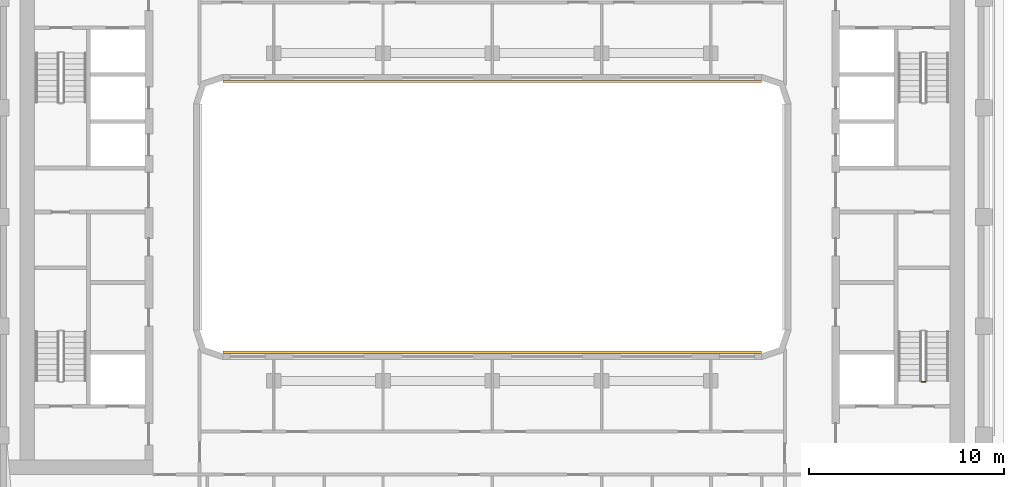
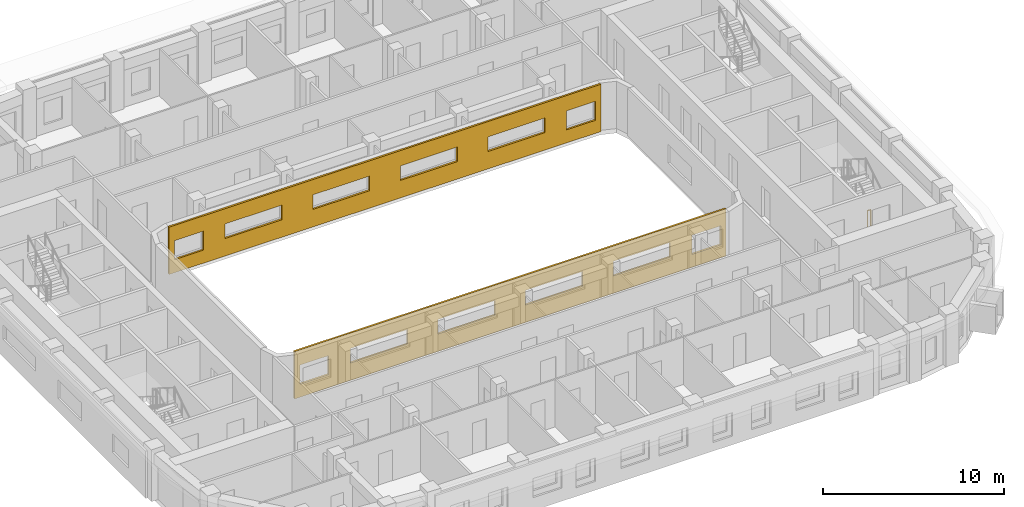
# One storey, part 15 of 21: 2 coverings, 1 railing.
"""IFC4 building model written with IfcOpenShell, lengths in metres."""

from ifc_helpers import new_model, si_unit, direction, frame, origin, origin_2d, place, context, subcontext, project, spatial, polyline, circle, outline, extrude, material, layer, layer_set, type_object, element, save


model = new_model("IFC4")

# Units and contexts
model_context = context("Model", 3, precision=1e-05, world=origin(), true_north=direction((0.0, 1.0)))
body_context = subcontext(model_context, "Body", "Model", "MODEL_VIEW")
ifc_project = project(units=[si_unit("LENGTHUNIT", "METRE"), si_unit("AREAUNIT", "SQUARE_METRE"), si_unit("VOLUMEUNIT", "CUBIC_METRE"), si_unit("PLANEANGLEUNIT", "RADIAN"), si_unit("MASSUNIT", "GRAM", prefix="KILO")], contexts=[model_context])

# Site, building, storey
site_placement = place(None, origin())
site = spatial("IfcSite", under=ifc_project, at=site_placement, CompositionType="ELEMENT")
building_placement = place(site_placement, origin())
building = spatial("IfcBuilding", under=site, at=building_placement, Name="Kiln Ring Residences", CompositionType="ELEMENT")
storey_placement = place(building_placement, frame((0.0, 0.0, 220.39990234375)))
storey = spatial("IfcBuildingStorey", under=building, at=storey_placement, Name="L57", CompositionType="ELEMENT", Elevation=220.39990234375)

# Railing
ifc_material_1 = material(Name="Stainless steel", Category="steel")
railing_type = type_object("IfcRailingType", Name="CORE-STAIR-GUARD", PredefinedType="GUARDRAIL", material=ifc_material_1)
railing_placement = place(storey_placement, frame((22.199951171875, -8.449951171875, 0.0)))
element("IfcRailing", 1, at=railing_placement, inside=storey, type_object=railing_type, Name="L57 E-STS stair guard 4", PredefinedType="GUARDRAIL", context=body_context, shape_type="SweptSolid", body=[
    extrude(circle(Radius=0.02392578125, at=origin_2d()), frame((0.0, 0.0, 1.076171875), z_axis=(-1.0, 0.0, 0.0), x_axis=(0.0, -1.0, 0.0)), (0.0, 0.0, 1.0), 0.199951171875),
    extrude(circle(Radius=0.02099609375, at=origin_2d()), origin(), (0.0, 0.0, 1.0), 1.052001953125),
    extrude(circle(Radius=0.02099609375, at=origin_2d()), frame((-0.199951171875, 0.0, 0.0)), (0.0, 0.0, 1.0), 1.052001953125),
])

# Coverings
ifc_material_2 = material(Name="Brick masonry, dark clay brick", Category="masonry")
ifc_layer = layer(ifc_material_2, 0.1201171875)
ifc_layer_set = layer_set([ifc_layer], Name="RAINSCREEN PANEL 120")
covering_type = type_object("IfcCoveringType", Name="RAINSCREEN PANEL 120", PredefinedType="CLADDING", material=ifc_layer_set)
for number, where, z_axis, x_axis, name in (
    (2, (-13.800048828125, 6.93994140625, 0.0), (0.0, 0.0, 1.0), (1.0, 0.0, 0.0), "RAINSCREEN L57"),
    (3, (13.800048828125, -6.93994140625, 0.0), (0.0, 0.0, 1.0), (-1.0, 0.0, 0.0), "RAINSCREEN L57"),
):
    element("IfcCovering", number, at=place(storey_placement, frame(where, z_axis=z_axis, x_axis=x_axis)), inside=storey, type_object=covering_type, Name=name, PredefinedType="CLADDING", context=body_context, shape_type="SweptSolid", body=[
        extrude(outline(polyline([(0.0, 0.0), (27.60009765625, 0.0), (27.60009765625, 3.2001953125), (0.0, 3.2001953125), (0.0, 0.0)]), holes=[polyline([(2.1826171875, 0.880126953125), (2.1826171875, 2.170166015625), (0.342529296875, 2.170166015625), (0.342529296875, 0.880126953125), (2.1826171875, 0.880126953125)]), polyline([(25.41748046875, 0.880126953125), (27.257568359375, 0.880126953125), (27.257568359375, 2.170166015625), (25.41748046875, 2.170166015625), (25.41748046875, 0.880126953125)]), polyline([(3.580078125, 1.18017578125), (7.219970703125, 1.18017578125), (7.219970703125, 2.170166015625), (3.580078125, 2.170166015625), (3.580078125, 1.18017578125)]), polyline([(12.820068359375, 1.18017578125), (12.820068359375, 2.170166015625), (9.179931640625, 2.170166015625), (9.179931640625, 1.18017578125), (12.820068359375, 1.18017578125)]), polyline([(14.780029296875, 1.18017578125), (18.419921875, 1.18017578125), (18.419921875, 2.170166015625), (14.780029296875, 2.170166015625), (14.780029296875, 1.18017578125)]), polyline([(20.3798828125, 1.18017578125), (24.02001953125, 1.18017578125), (24.02001953125, 2.170166015625), (20.3798828125, 2.170166015625), (20.3798828125, 1.18017578125)])]), frame((0.0, 0.06005859375, 0.0), z_axis=(0.0, -1.0, 0.0), x_axis=(1.0, 0.0, 0.0)), (0.0, 0.0, 1.0), 0.1201171875),
    ])

save(model, "model.ifc")
